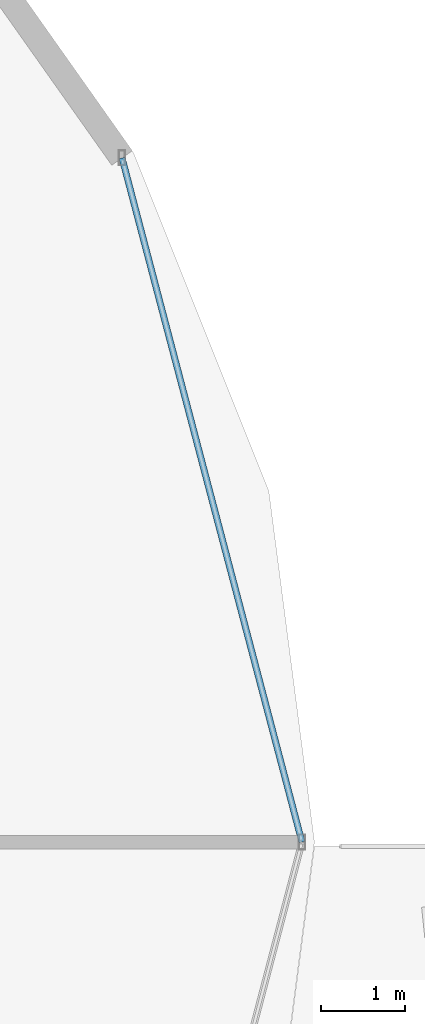
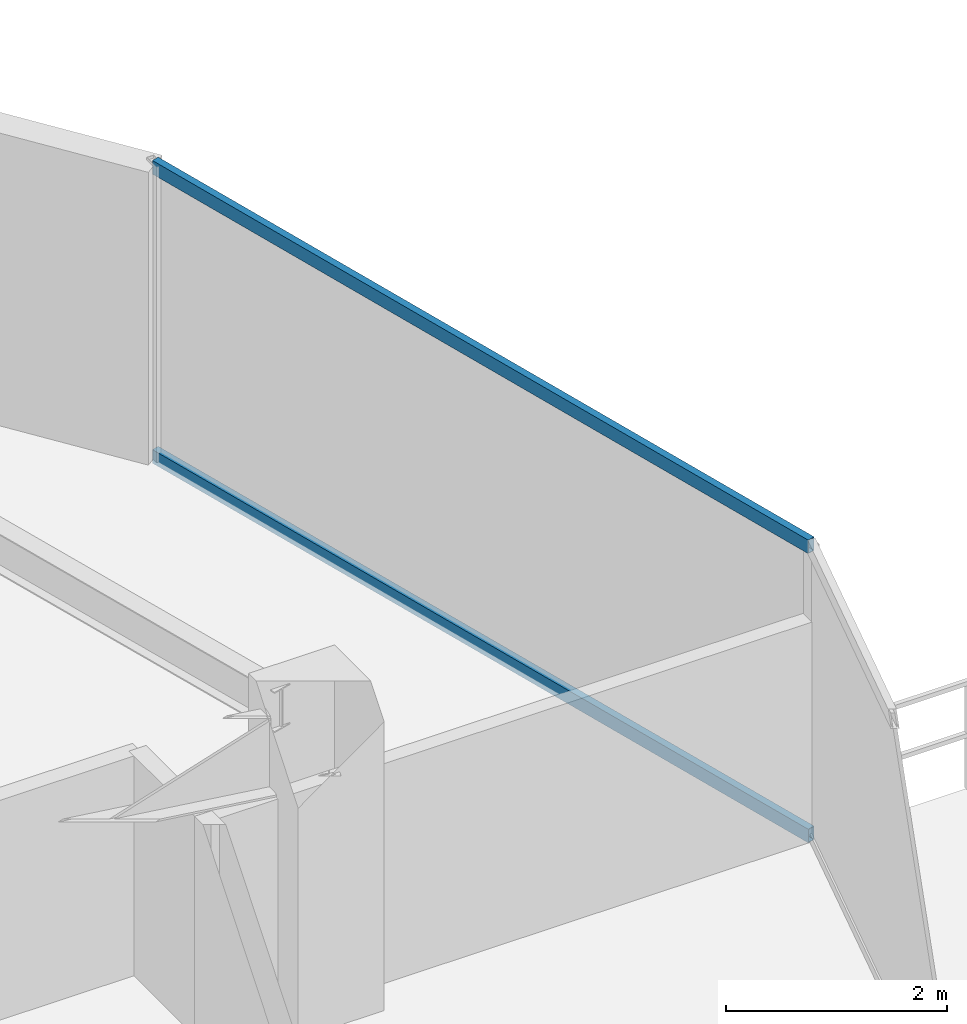
# One storey, part 17 of 33: 2 members, 1 element without a shape of its own.
"""IFC4 building model written with IfcOpenShell, lengths in metres."""

from ifc_helpers import new_model, si_unit, direction, frame, origin, origin_2d, place, context, subcontext, project, spatial, hollow_rectangle, extrude, material, material_profile, profile_set, type_object, element, aggregate, save


model = new_model("IFC4")

# Units and contexts
model_context = context("Model", 3, precision=1e-05, world=origin(), true_north=direction((0.0, 1.0)))
body_context = subcontext(model_context, "Body", "Model", "MODEL_VIEW")
ifc_project = project(units=[si_unit("LENGTHUNIT", "METRE"), si_unit("AREAUNIT", "SQUARE_METRE"), si_unit("VOLUMEUNIT", "CUBIC_METRE"), si_unit("PLANEANGLEUNIT", "RADIAN"), si_unit("MASSUNIT", "GRAM", prefix="KILO")], contexts=[model_context])

# Site, building, storey
site_placement = place(None, origin())
site = spatial("IfcSite", under=ifc_project, at=site_placement, CompositionType="ELEMENT")
building_placement = place(site_placement, origin())
building = spatial("IfcBuilding", under=site, at=building_placement, Name="Vorneva Point Tower", CompositionType="ELEMENT")
storey_placement = place(building_placement, frame((0.0, 0.0, 189.60009765625)))
storey = spatial("IfcBuildingStorey", under=building, at=storey_placement, Name="L51", CompositionType="ELEMENT", Elevation=189.60009765625)

# Curtain wall, members
ifc_material = material(Name="Pale anodised aluminium", Category="aluminium")
curtain_wall_type = type_object("IfcCurtainWallType", Name="CW-RES-SYS", PredefinedType="NOTDEFINED", material=ifc_material)
curtain_wall_placement = place(storey_placement, origin())
curtain_wall = element("IfcCurtainWall", 1, at=curtain_wall_placement, inside=storey, type_object=curtain_wall_type, Name="L51 Unitised Curtain Wall CW-L51-R01", PredefinedType="NOTDEFINED")
ifc_material_profile = material_profile(ifc_material, hollow_rectangle(XDim=0.074951171875, YDim=0.14990234375, WallThickness=0.00390625, at=origin_2d()), Name="AL-TRN 150x75x4")
ifc_profile_set = profile_set([ifc_material_profile], Name="Pale anodised aluminium")
member_type = type_object("IfcMemberType", Name="CW-TRN-150", PredefinedType="USERDEFINED", material=ifc_profile_set)
member_1_placement = place(storey_placement, frame((66.22998046875, 26.0, 0.02001953125), z_axis=(-0.254362431281, 0.967108966742, 0.0), x_axis=(-0.967108966742, -0.254362431281, 0.0)))
member_1 = element("IfcMember", 2, at=member_1_placement, type_object=member_type, Name="CW-L51-R01 Transom 02.1", ObjectType="TRANSOM", PredefinedType="USERDEFINED", context=body_context, shape_type="SweptSolid", body=[
    extrude(hollow_rectangle(XDim=0.074951171875, YDim=0.14990234375, WallThickness=0.00390625, at=origin_2d()), origin(), (0.0, 0.0, 1.0), 8.4482421875),
])
member_2_placement = place(storey_placement, frame((66.22998046875, 26.0, 3.219970703125), z_axis=(-0.254362431281, 0.967108966742, 0.0), x_axis=(-0.967108966742, -0.254362431281, 0.0)))
member_2 = element("IfcMember", 3, at=member_2_placement, type_object=member_type, Name="CW-L51-R01 Transom 02.2", ObjectType="TRANSOM", PredefinedType="USERDEFINED", context=body_context, shape_type="SweptSolid", body=[
    extrude(hollow_rectangle(XDim=0.074951171875, YDim=0.14990234375, WallThickness=0.00390625, at=origin_2d()), origin(), (0.0, 0.0, 1.0), 8.4482421875),
])
aggregate(curtain_wall, [member_1, member_2])

save(model, "model.ifc")
